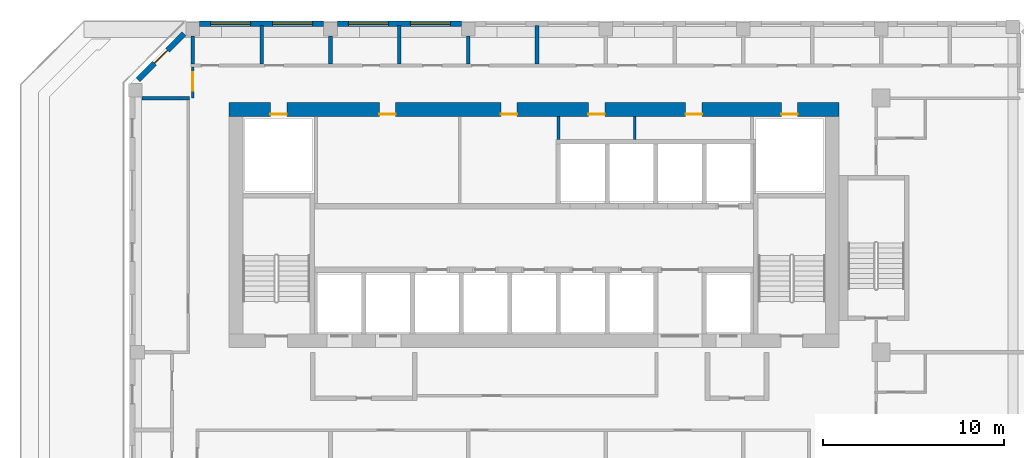
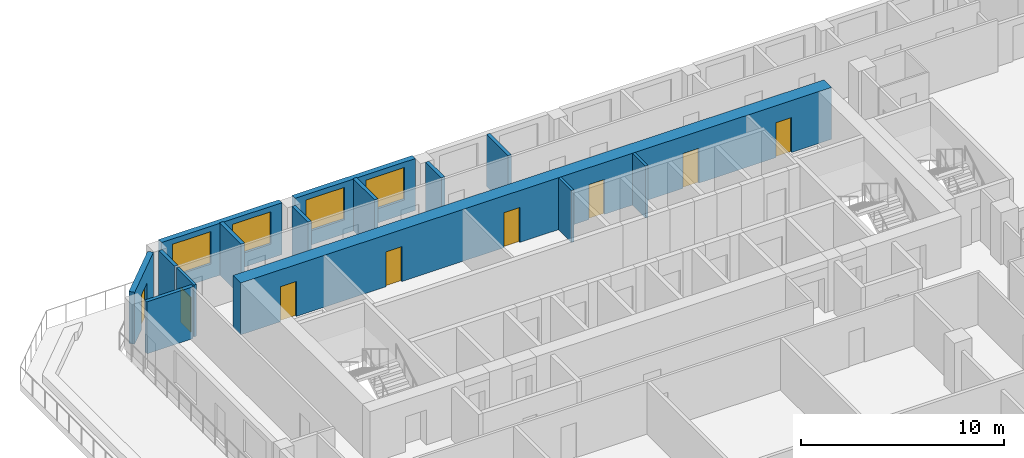
# One storey, part 8 of 16: 14 walls, 8 doors, 4 windows, 12 openings.
"""IFC4 building model written with IfcOpenShell, lengths in metres."""

from ifc_helpers import new_model, si_unit, direction, frame, frame_2d, origin, place, context, subcontext, project, spatial, rectangle, extrude, source, transform, mapped, material, layer, layer_set, type_object, element, fill, save


model = new_model("IFC4")

# Units and contexts
model_context = context("Model", 3, precision=1e-05, world=origin(), true_north=direction((0.0, 1.0)))
body_context = subcontext(model_context, "Body", "Model", "MODEL_VIEW")
ifc_project = project(units=[si_unit("LENGTHUNIT", "METRE"), si_unit("AREAUNIT", "SQUARE_METRE"), si_unit("VOLUMEUNIT", "CUBIC_METRE"), si_unit("PLANEANGLEUNIT", "RADIAN"), si_unit("MASSUNIT", "GRAM", prefix="KILO")], contexts=[model_context])

# Site, building, storey
site_placement = place(None, origin())
site = spatial("IfcSite", under=ifc_project, at=site_placement, CompositionType="ELEMENT")
building_placement = place(site_placement, origin())
building = spatial("IfcBuilding", under=site, at=building_placement, Name="Kilnfold Tower and Market Hall", CompositionType="ELEMENT")
storey_placement = place(building_placement, frame((0.0, 0.0, 199.89990234375)))
storey = spatial("IfcBuildingStorey", under=building, at=storey_placement, Name="L48", CompositionType="ELEMENT", Elevation=199.89990234375)

# Wall, opening, door
ifc_material_1 = material(Name="Gypsum board on steel studs", Category="steel")
ifc_layer_1 = layer(ifc_material_1, 0.14990234375)
ifc_layer_set_1 = layer_set([ifc_layer_1], Name="Gypsum board on steel studs")
wall_type_1 = type_object("IfcWallType", Name="WALL CORRIDOR 150", PredefinedType="PARTITIONING", material=ifc_layer_set_1)
wall_1_placement = place(storey_placement, frame((-17.75, 23.72509765625, 0.0), z_axis=(0.0, 0.0, 1.0), x_axis=(0.0, -1.0, 0.0)))
wall_1 = element("IfcWall", 1, at=wall_1_placement, inside=storey, type_object=wall_type_1, Name="Partition LY30.17", PredefinedType="PARTITIONING", context=body_context, shape_type="SweptSolid", body=[
    extrude(rectangle(XDim=1.72509765625, YDim=0.14990234375, at=frame_2d((0.862548828125, 0.0))), origin(), (0.0, 0.0, 1.0), 3.1201171875),
])
opening_1_placement = place(wall_1_placement, frame((0.30810546875, 0.0, 0.0)))
opening_1 = element("IfcOpeningElement", 2, at=opening_1_placement, cuts=wall_1, Name="Opening D4", PredefinedType="OPENING", context=body_context, shape_type="SweptSolid", body=[
    extrude(rectangle(XDim=1.0, YDim=2.10009765625, at=frame_2d((0.5, 1.050048828125))), frame((0.0, 0.0849609375, 0.0), z_axis=(0.0, -1.0, 0.0), x_axis=(1.0, 0.0, 0.0)), (0.0, 0.0, 1.0), 0.169921875),
])
ifc_material_2 = material(Name="Timber veneer door leaf in steel frame", Category="steel")
door_type_1 = type_object("IfcDoorType", Name="DOOR SERVICE 1000 X2100", OperationType="NOTDEFINED", PredefinedType="DOOR", material=ifc_material_2)
door_1_placement = place(opening_1_placement, origin())
door_1 = element("IfcDoor", 3, at=door_1_placement, inside=storey, type_object=door_type_1, Name="Door D4", OperationType="SINGLE_SWING_RIGHT", OverallHeight=2.10009765625, OverallWidth=1.0, PredefinedType="DOOR", context=body_context, shape_type="SweptSolid", body=[
    extrude(rectangle(XDim=1.0, YDim=2.10009765625, at=frame_2d((0.5, 1.050048828125))), frame((0.0, 0.02490234375, 0.0), z_axis=(0.0, -1.0, 0.0), x_axis=(1.0, 0.0, 0.0)), (0.0, 0.0, 1.0), 0.050048828125),
])
fill(opening_1, door_1)

# Walls
ifc_material_3 = material(Name="Gypsum board on steel studs", Category="steel")
ifc_layer_2 = layer(ifc_material_3, 0.199951171875)
ifc_layer_set_2 = layer_set([ifc_layer_2], Name="Gypsum board on steel studs")
wall_type_2 = type_object("IfcWallType", Name="WALL PARTY 200", PredefinedType="PARTITIONING", material=ifc_layer_set_2)
wall_2_placement = place(storey_placement, frame((-17.927001953125, 22.0, 0.0), z_axis=(0.0, 0.0, 1.0), x_axis=(-1.0, 0.0, 0.0)))
element("IfcWall", 4, at=wall_2_placement, inside=storey, type_object=wall_type_2, Name="Partition LY30.82", PredefinedType="PARTITIONING", context=body_context, shape_type="SweptSolid", body=[
    extrude(rectangle(XDim=2.6298828125, YDim=0.199951171875, at=frame_2d((1.31494140625, 0.0))), origin(), (0.0, 0.0, 1.0), 3.1201171875),
])
wall_3_placement = place(storey_placement, frame((-17.75, 23.876953125, 0.0), z_axis=(0.0, 0.0, 1.0), x_axis=(0.0, 1.0, 0.0)))
element("IfcWall", 5, at=wall_3_placement, inside=storey, type_object=wall_type_2, Name="Partition LY30.88", PredefinedType="PARTITIONING", context=body_context, shape_type="SweptSolid", body=[
    extrude(rectangle(XDim=1.548095703125, YDim=0.199951171875, at=frame_2d((0.77392578125, 0.0))), origin(), (0.0, 0.0, 1.0), 3.1201171875),
])
wall_4_placement = place(storey_placement, frame((-13.958984375, 23.876953125, 0.0), z_axis=(0.0, 0.0, 1.0), x_axis=(0.0, 1.0, 0.0)))
element("IfcWall", 6, at=wall_4_placement, inside=storey, type_object=wall_type_2, Name="Partition LY30.99", PredefinedType="PARTITIONING", context=body_context, shape_type="SweptSolid", body=[
    extrude(rectangle(XDim=2.123046875, YDim=0.199951171875, at=frame_2d((1.0615234375, 0.0))), origin(), (0.0, 0.0, 1.0), 3.1201171875),
])
wall_5_placement = place(storey_placement, frame((-10.1669921875, 23.876953125, 0.0), z_axis=(0.0, 0.0, 1.0), x_axis=(0.0, 1.0, 0.0)))
element("IfcWall", 7, at=wall_5_placement, inside=storey, type_object=wall_type_2, Name="Partition LY30.100", PredefinedType="PARTITIONING", context=body_context, shape_type="SweptSolid", body=[
    extrude(rectangle(XDim=1.548095703125, YDim=0.199951171875, at=frame_2d((0.77392578125, 0.0))), origin(), (0.0, 0.0, 1.0), 3.1201171875),
])
wall_6_placement = place(storey_placement, frame((-6.375, 23.876953125, 0.0), z_axis=(0.0, 0.0, 1.0), x_axis=(0.0, 1.0, 0.0)))
element("IfcWall", 8, at=wall_6_placement, inside=storey, type_object=wall_type_2, Name="Partition LY30.101", PredefinedType="PARTITIONING", context=body_context, shape_type="SweptSolid", body=[
    extrude(rectangle(XDim=2.123046875, YDim=0.199951171875, at=frame_2d((1.0615234375, 0.0))), origin(), (0.0, 0.0, 1.0), 3.1201171875),
])
wall_7_placement = place(storey_placement, frame((-2.5830078125, 23.876953125, 0.0), z_axis=(0.0, 0.0, 1.0), x_axis=(0.0, 1.0, 0.0)))
element("IfcWall", 9, at=wall_7_placement, inside=storey, type_object=wall_type_2, Name="Partition LY30.102", PredefinedType="PARTITIONING", context=body_context, shape_type="SweptSolid", body=[
    extrude(rectangle(XDim=1.548095703125, YDim=0.199951171875, at=frame_2d((0.77392578125, 0.0))), origin(), (0.0, 0.0, 1.0), 3.1201171875),
])
wall_8_placement = place(storey_placement, frame((1.2080078125, 23.876953125, 0.0), z_axis=(0.0, 0.0, 1.0), x_axis=(0.0, 1.0, 0.0)))
element("IfcWall", 10, at=wall_8_placement, inside=storey, type_object=wall_type_2, Name="Partition LY30.103", PredefinedType="PARTITIONING", context=body_context, shape_type="SweptSolid", body=[
    extrude(rectangle(XDim=2.123046875, YDim=0.199951171875, at=frame_2d((1.0615234375, 0.0))), origin(), (0.0, 0.0, 1.0), 3.1201171875),
])

# Wall, openings, doors
ifc_material_4 = material(Name="Concrete C60", Category="concrete")
ifc_layer_3 = layer(ifc_material_4, 0.75)
ifc_layer_set_3 = layer_set([ifc_layer_3], Name="Concrete C60")
wall_type_3 = type_object("IfcWallType", Name="CORE WALL 750 C60", PredefinedType="SHEAR", material=ifc_layer_set_3)
shared_shape_1 = source(origin(), body_context, "Body", "SweptSolid", [
    extrude(rectangle(XDim=33.60009765625, YDim=0.75, at=frame_2d((16.800048828125, 0.0))), origin(), (0.0, 0.0, 1.0), 3.1201171875),
])
wall_9_placement = place(storey_placement, frame((-15.75, 21.375, 0.0), z_axis=(0.0, 0.0, 1.0), x_axis=(1.0, 0.0, 0.0)))
wall_9 = element("IfcWall", 11, at=wall_9_placement, inside=storey, type_object=wall_type_3, Name="Core outer wall north", PredefinedType="SHEAR", context=body_context, shape_type="MappedRepresentation", body=[
    mapped(shared_shape_1, transform((0.0, 0.0, 0.0))),
])
opening_2_placement = place(wall_9_placement, frame((8.269775390625, 0.0, 0.0)))
opening_2 = element("IfcOpeningElement", 12, at=opening_2_placement, cuts=wall_9, Name="Opening KD1", PredefinedType="OPENING", context=body_context, shape_type="SweptSolid", body=[
    extrude(rectangle(XDim=0.89990234375, YDim=2.10009765625, at=frame_2d((0.449951171875, 1.050048828125))), frame((0.0, 0.385009765625, 0.0), z_axis=(0.0, -1.0, 0.0), x_axis=(1.0, 0.0, 0.0)), (0.0, 0.0, 1.0), 0.77001953125),
])
opening_3_placement = place(wall_9_placement, frame((14.9697265625, 0.0, 0.0)))
opening_3 = element("IfcOpeningElement", 13, at=opening_3_placement, cuts=wall_9, Name="Opening KD1", PredefinedType="OPENING", context=body_context, shape_type="SweptSolid", body=[
    extrude(rectangle(XDim=0.89990234375, YDim=2.10009765625, at=frame_2d((0.449951171875, 1.050048828125))), frame((0.0, 0.385009765625, 0.0), z_axis=(0.0, -1.0, 0.0), x_axis=(1.0, 0.0, 0.0)), (0.0, 0.0, 1.0), 0.77001953125),
])
opening_4_placement = place(wall_9_placement, frame((19.793701171875, 0.0, 0.0)))
opening_4 = element("IfcOpeningElement", 14, at=opening_4_placement, cuts=wall_9, Name="Opening KD1", PredefinedType="OPENING", context=body_context, shape_type="SweptSolid", body=[
    extrude(rectangle(XDim=0.89990234375, YDim=2.10009765625, at=frame_2d((0.449951171875, 1.050048828125))), frame((0.0, 0.385009765625, 0.0), z_axis=(0.0, -1.0, 0.0), x_axis=(1.0, 0.0, 0.0)), (0.0, 0.0, 1.0), 0.77001953125),
])
opening_5_placement = place(wall_9_placement, frame((25.15380859375, 0.0, 0.0)))
opening_5 = element("IfcOpeningElement", 15, at=opening_5_placement, cuts=wall_9, Name="Opening KD1", PredefinedType="OPENING", context=body_context, shape_type="SweptSolid", body=[
    extrude(rectangle(XDim=0.89990234375, YDim=2.10009765625, at=frame_2d((0.449951171875, 1.050048828125))), frame((0.0, 0.385009765625, 0.0), z_axis=(0.0, -1.0, 0.0), x_axis=(1.0, 0.0, 0.0)), (0.0, 0.0, 1.0), 0.77001953125),
])
opening_6_placement = place(wall_9_placement, frame((2.27490234375, 0.0, 0.0)))
opening_6 = element("IfcOpeningElement", 16, at=opening_6_placement, cuts=wall_9, Name="Opening KD1", PredefinedType="OPENING", context=body_context, shape_type="SweptSolid", body=[
    extrude(rectangle(XDim=0.89990234375, YDim=2.10009765625, at=frame_2d((0.449951171875, 1.050048828125))), frame((0.0, 0.385009765625, 0.0), z_axis=(0.0, -1.0, 0.0), x_axis=(1.0, 0.0, 0.0)), (0.0, 0.0, 1.0), 0.77001953125),
])
opening_7_placement = place(wall_9_placement, frame((30.425048828125, 0.0, 0.0)))
opening_7 = element("IfcOpeningElement", 17, at=opening_7_placement, cuts=wall_9, Name="Opening KD1", PredefinedType="OPENING", context=body_context, shape_type="SweptSolid", body=[
    extrude(rectangle(XDim=0.89990234375, YDim=2.10009765625, at=frame_2d((0.449951171875, 1.050048828125))), frame((0.0, 0.385009765625, 0.0), z_axis=(0.0, -1.0, 0.0), x_axis=(1.0, 0.0, 0.0)), (0.0, 0.0, 1.0), 0.77001953125),
])
ifc_material_5 = material(Name="Steel door set with fire-resisting leaf", Category="steel")
door_type_2 = type_object("IfcDoorType", Name="SERVICE DOOR 900X2100", OperationType="NOTDEFINED", PredefinedType="DOOR", material=ifc_material_5)
door_2_placement = place(opening_2_placement, origin())
door_2 = element("IfcDoor", 18, at=door_2_placement, inside=storey, type_object=door_type_2, Name="Core service door", OperationType="SINGLE_SWING_RIGHT", OverallHeight=2.10009765625, OverallWidth=0.89990234375, PredefinedType="DOOR", context=body_context, shape_type="SweptSolid", body=[
    extrude(rectangle(XDim=0.89990234375, YDim=2.10009765625, at=frame_2d((0.449951171875, 1.050048828125))), frame((0.0, -0.22998046875, 0.0), z_axis=(0.0, -1.0, 0.0), x_axis=(1.0, 0.0, 0.0)), (0.0, 0.0, 1.0), 0.050048828125),
])
fill(opening_2, door_2)
door_3_placement = place(opening_3_placement, origin())
door_3 = element("IfcDoor", 19, at=door_3_placement, inside=storey, type_object=door_type_2, Name="Core service door", OperationType="SINGLE_SWING_LEFT", OverallHeight=2.10009765625, OverallWidth=0.89990234375, PredefinedType="DOOR", context=body_context, shape_type="SweptSolid", body=[
    extrude(rectangle(XDim=0.89990234375, YDim=2.10009765625, at=frame_2d((0.449951171875, 1.050048828125))), frame((0.0, -0.22998046875, 0.0), z_axis=(0.0, -1.0, 0.0), x_axis=(1.0, 0.0, 0.0)), (0.0, 0.0, 1.0), 0.050048828125),
])
fill(opening_3, door_3)
door_4_placement = place(opening_4_placement, origin())
door_4 = element("IfcDoor", 20, at=door_4_placement, inside=storey, type_object=door_type_2, Name="Core service door", OperationType="SINGLE_SWING_RIGHT", OverallHeight=2.10009765625, OverallWidth=0.89990234375, PredefinedType="DOOR", context=body_context, shape_type="SweptSolid", body=[
    extrude(rectangle(XDim=0.89990234375, YDim=2.10009765625, at=frame_2d((0.449951171875, 1.050048828125))), frame((0.0, -0.22998046875, 0.0), z_axis=(0.0, -1.0, 0.0), x_axis=(1.0, 0.0, 0.0)), (0.0, 0.0, 1.0), 0.050048828125),
])
fill(opening_4, door_4)
door_5_placement = place(opening_5_placement, origin())
door_5 = element("IfcDoor", 21, at=door_5_placement, inside=storey, type_object=door_type_2, Name="Core service door", OperationType="SINGLE_SWING_LEFT", OverallHeight=2.10009765625, OverallWidth=0.89990234375, PredefinedType="DOOR", context=body_context, shape_type="SweptSolid", body=[
    extrude(rectangle(XDim=0.89990234375, YDim=2.10009765625, at=frame_2d((0.449951171875, 1.050048828125))), frame((0.0, -0.22998046875, 0.0), z_axis=(0.0, -1.0, 0.0), x_axis=(1.0, 0.0, 0.0)), (0.0, 0.0, 1.0), 0.050048828125),
])
fill(opening_5, door_5)
door_6_placement = place(opening_6_placement, origin())
door_6 = element("IfcDoor", 22, at=door_6_placement, inside=storey, type_object=door_type_2, Name="Electrical riser access door", OperationType="SINGLE_SWING_RIGHT", OverallHeight=2.10009765625, OverallWidth=0.89990234375, PredefinedType="DOOR", context=body_context, shape_type="SweptSolid", body=[
    extrude(rectangle(XDim=0.89990234375, YDim=2.10009765625, at=frame_2d((0.449951171875, 1.050048828125))), frame((0.0, -0.22998046875, 0.0), z_axis=(0.0, -1.0, 0.0), x_axis=(1.0, 0.0, 0.0)), (0.0, 0.0, 1.0), 0.050048828125),
])
fill(opening_6, door_6)
door_7_placement = place(opening_7_placement, origin())
door_7 = element("IfcDoor", 23, at=door_7_placement, inside=storey, type_object=door_type_2, Name="Mechanical riser access door", OperationType="SINGLE_SWING_LEFT", OverallHeight=2.10009765625, OverallWidth=0.89990234375, PredefinedType="DOOR", context=body_context, shape_type="SweptSolid", body=[
    extrude(rectangle(XDim=0.89990234375, YDim=2.10009765625, at=frame_2d((0.449951171875, 1.050048828125))), frame((0.0, -0.22998046875, 0.0), z_axis=(0.0, -1.0, 0.0), x_axis=(1.0, 0.0, 0.0)), (0.0, 0.0, 1.0), 0.050048828125),
])
fill(opening_7, door_7)

# Wall, openings, windows
ifc_material_6 = material(Name="Precast concrete C50/60", Category="concrete")
ifc_layer_4 = layer(ifc_material_6, 0.300048828125)
ifc_layer_set_4 = layer_set([ifc_layer_4], Name="Precast concrete C50/60")
wall_type_4 = type_object("IfcWallType", Name="PRECAST WALL 300", PredefinedType="SOLIDWALL", material=ifc_layer_set_4)
shared_shape_2 = source(origin(), body_context, "Body", "SweptSolid", [
    extrude(rectangle(XDim=6.833251953125, YDim=0.300048828125, at=frame_2d((3.41650390625, 0.0))), origin(), (0.0, 0.0, 1.0), 3.1201171875),
])
wall_10_placement = place(storey_placement, frame((-10.541748046875, 26.10009765625, 0.0), z_axis=(0.0, 0.0, 1.0), x_axis=(-1.0, 0.0, 0.0)))
wall_10 = element("IfcWall", 24, at=wall_10_placement, inside=storey, type_object=wall_type_4, Name="External wall L48 N", PredefinedType="SOLIDWALL", context=body_context, shape_type="MappedRepresentation", body=[
    mapped(shared_shape_2, transform((0.0, 0.0, 0.0))),
])
opening_8_placement = place(wall_10_placement, frame((0.6083984375, 0.0, 0.85009765625)))
opening_8 = element("IfcOpeningElement", 25, at=opening_8_placement, cuts=wall_10, Name="Opening W2", PredefinedType="OPENING", context=body_context, shape_type="SweptSolid", body=[
    extrude(rectangle(XDim=2.199951171875, YDim=1.949951171875, at=frame_2d((1.10009765625, 0.97509765625))), frame((0.0, 0.16015625, 0.0), z_axis=(0.0, -1.0, 0.0), x_axis=(1.0, 0.0, 0.0)), (0.0, 0.0, 1.0), 0.320068359375),
])
opening_9_placement = place(wall_10_placement, frame((4.02490234375, 0.0, 0.85009765625)))
opening_9 = element("IfcOpeningElement", 26, at=opening_9_placement, cuts=wall_10, Name="Opening W2", PredefinedType="OPENING", context=body_context, shape_type="SweptSolid", body=[
    extrude(rectangle(XDim=2.199951171875, YDim=1.949951171875, at=frame_2d((1.10009765625, 0.97509765625))), frame((0.0, 0.16015625, 0.0), z_axis=(0.0, -1.0, 0.0), x_axis=(1.0, 0.0, 0.0)), (0.0, 0.0, 1.0), 0.320068359375),
])
ifc_material_7 = material(Name="Aluminium frame and double glazing", Category="aluminium")
window_type = type_object("IfcWindowType", Name="WINDOW W2 2200X1950", PartitioningType="SINGLE_PANEL", PredefinedType="WINDOW", material=ifc_material_7)
window_1_placement = place(opening_8_placement, origin())
window_1 = element("IfcWindow", 27, at=window_1_placement, inside=storey, type_object=window_type, Name="Window W2 L48 N-1", OverallHeight=1.949951171875, OverallWidth=2.199951171875, PartitioningType="SINGLE_PANEL", PredefinedType="WINDOW", context=body_context, shape_type="SweptSolid", body=[
    extrude(rectangle(XDim=2.199951171875, YDim=1.949951171875, at=frame_2d((1.10009765625, 0.97509765625))), frame((0.0, 0.030029296875, 0.0), z_axis=(0.0, -1.0, 0.0), x_axis=(1.0, 0.0, 0.0)), (0.0, 0.0, 1.0), 0.06005859375),
])
fill(opening_8, window_1)
window_2_placement = place(opening_9_placement, origin())
window_2 = element("IfcWindow", 28, at=window_2_placement, inside=storey, type_object=window_type, Name="Window W2 L48 N-2", OverallHeight=1.949951171875, OverallWidth=2.199951171875, PartitioningType="SINGLE_PANEL", PredefinedType="WINDOW", context=body_context, shape_type="SweptSolid", body=[
    extrude(rectangle(XDim=2.199951171875, YDim=1.949951171875, at=frame_2d((1.10009765625, 0.97509765625))), frame((0.0, 0.030029296875, 0.0), z_axis=(0.0, -1.0, 0.0), x_axis=(1.0, 0.0, 0.0)), (0.0, 0.0, 1.0), 0.06005859375),
])
fill(opening_9, window_2)

shared_shape_3 = source(origin(), body_context, "Body", "SweptSolid", [
    extrude(rectangle(XDim=6.83349609375, YDim=0.300048828125, at=frame_2d((3.416748046875, 0.0))), origin(), (0.0, 0.0, 1.0), 3.1201171875),
])
wall_11_placement = place(storey_placement, frame((-2.958251953125, 26.10009765625, 0.0), z_axis=(0.0, 0.0, 1.0), x_axis=(-1.0, 0.0, 0.0)))
wall_11 = element("IfcWall", 29, at=wall_11_placement, inside=storey, type_object=wall_type_4, Name="External wall L48 N", PredefinedType="SOLIDWALL", context=body_context, shape_type="MappedRepresentation", body=[
    mapped(shared_shape_3, transform((0.0, 0.0, 0.0))),
])
opening_10_placement = place(wall_11_placement, frame((0.6083984375, 0.0, 0.85009765625)))
opening_10 = element("IfcOpeningElement", 30, at=opening_10_placement, cuts=wall_11, Name="Opening W2", PredefinedType="OPENING", context=body_context, shape_type="SweptSolid", body=[
    extrude(rectangle(XDim=2.199951171875, YDim=1.949951171875, at=frame_2d((1.10009765625, 0.97509765625))), frame((0.0, 0.16015625, 0.0), z_axis=(0.0, -1.0, 0.0), x_axis=(1.0, 0.0, 0.0)), (0.0, 0.0, 1.0), 0.320068359375),
])
opening_11_placement = place(wall_11_placement, frame((4.02490234375, 0.0, 0.85009765625)))
opening_11 = element("IfcOpeningElement", 31, at=opening_11_placement, cuts=wall_11, Name="Opening W2", PredefinedType="OPENING", context=body_context, shape_type="SweptSolid", body=[
    extrude(rectangle(XDim=2.199951171875, YDim=1.949951171875, at=frame_2d((1.10009765625, 0.97509765625))), frame((0.0, 0.16015625, 0.0), z_axis=(0.0, -1.0, 0.0), x_axis=(1.0, 0.0, 0.0)), (0.0, 0.0, 1.0), 0.320068359375),
])
window_3_placement = place(opening_10_placement, origin())
window_3 = element("IfcWindow", 32, at=window_3_placement, inside=storey, type_object=window_type, Name="Window W2 L48 N-1", OverallHeight=1.949951171875, OverallWidth=2.199951171875, PartitioningType="SINGLE_PANEL", PredefinedType="WINDOW", context=body_context, shape_type="SweptSolid", body=[
    extrude(rectangle(XDim=2.199951171875, YDim=1.949951171875, at=frame_2d((1.10009765625, 0.97509765625))), frame((0.0, 0.030029296875, 0.0), z_axis=(0.0, -1.0, 0.0), x_axis=(1.0, 0.0, 0.0)), (0.0, 0.0, 1.0), 0.06005859375),
])
fill(opening_10, window_3)
window_4_placement = place(opening_11_placement, origin())
window_4 = element("IfcWindow", 33, at=window_4_placement, inside=storey, type_object=window_type, Name="Window W2 L48 N-2", OverallHeight=1.949951171875, OverallWidth=2.199951171875, PartitioningType="SINGLE_PANEL", PredefinedType="WINDOW", context=body_context, shape_type="SweptSolid", body=[
    extrude(rectangle(XDim=2.199951171875, YDim=1.949951171875, at=frame_2d((1.10009765625, 0.97509765625))), frame((0.0, 0.030029296875, 0.0), z_axis=(0.0, -1.0, 0.0), x_axis=(1.0, 0.0, 0.0)), (0.0, 0.0, 1.0), 0.06005859375),
])
fill(opening_11, window_4)

# Wall, opening, door
shared_shape_4 = source(origin(), body_context, "Body", "SweptSolid", [
    extrude(rectangle(XDim=3.571044921875, YDim=0.300048828125, at=frame_2d((1.78564453125, 0.0))), origin(), (0.0, 0.0, 1.0), 3.1201171875),
])
wall_12_placement = place(storey_placement, frame((-18.243896484375, 25.5439453125, 0.0), z_axis=(0.0, 0.0, 1.0), x_axis=(-0.707072595841, -0.707140964879, 0.0)))
wall_12 = element("IfcWall", 34, at=wall_12_placement, inside=storey, type_object=wall_type_4, Name="External wall L48 NW", PredefinedType="SOLIDWALL", context=body_context, shape_type="MappedRepresentation", body=[
    mapped(shared_shape_4, transform((0.0, 0.0, 0.0))),
])
opening_12_placement = place(wall_12_placement, frame((1.285400390625, 0.0, 0.0)))
opening_12 = element("IfcOpeningElement", 35, at=opening_12_placement, cuts=wall_12, Name="Opening BD1", PredefinedType="OPENING", context=body_context, shape_type="SweptSolid", body=[
    extrude(rectangle(XDim=1.0, YDim=2.10009765625, at=frame_2d((0.5, 1.050048828125))), frame((0.0, 0.16015625, 0.0), z_axis=(0.0, -1.0, 0.0), x_axis=(1.0, 0.0, 0.0)), (0.0, 0.0, 1.0), 0.320068359375),
])
ifc_material_8 = material(Name="Aluminium frame and double glazing", Category="aluminium")
door_type_3 = type_object("IfcDoorType", Name="BALCONY DOOR 1000X2100", OperationType="NOTDEFINED", PredefinedType="DOOR", material=ifc_material_8)
door_8_placement = place(opening_12_placement, origin())
door_8 = element("IfcDoor", 36, at=door_8_placement, inside=storey, type_object=door_type_3, Name="Balcony door BD1 L48 NW-1", OperationType="SINGLE_SWING_LEFT", OverallHeight=2.10009765625, OverallWidth=1.0, PredefinedType="DOOR", context=body_context, shape_type="SweptSolid", body=[
    extrude(rectangle(XDim=1.0, YDim=2.10009765625, at=frame_2d((0.5, 1.050048828125))), frame((0.0, 0.02490234375, 0.0), z_axis=(0.0, -1.0, 0.0), x_axis=(1.0, 0.0, 0.0)), (0.0, 0.0, 1.0), 0.050048828125),
])
fill(opening_12, door_8)

# Walls
ifc_material_9 = material(Name="Gypsum shaft wall system")
ifc_layer_5 = layer(ifc_material_9, 0.14990234375)
ifc_layer_set_5 = layer_set([ifc_layer_5], Name="Gypsum shaft wall system")
wall_type_5 = type_object("IfcWallType", Name="ROOM WALL 150", PredefinedType="PARTITIONING", material=ifc_layer_set_5)
shared_shape_5 = source(origin(), body_context, "Body", "SweptSolid", [
    extrude(rectangle(XDim=1.27490234375, YDim=0.14990234375, at=frame_2d((0.637451171875, 0.0))), origin(), (0.0, 0.0, 1.0), 3.1201171875),
])
for number, where, z_axis, x_axis, name in (
    (37, (2.389892578125, 19.72509765625, 0.0), (0.0, 0.0, 1.0), (0.0, 1.0, 0.0), "Core room wall"),
    (38, (6.59765625, 19.72509765625, 0.0), (0.0, 0.0, 1.0), (0.0, 1.0, 0.0), "Core room wall"),
):
    element("IfcWall", number, at=place(storey_placement, frame(where, z_axis=z_axis, x_axis=x_axis)), inside=storey, type_object=wall_type_5, Name=name, PredefinedType="PARTITIONING", context=body_context, shape_type="MappedRepresentation", body=[
        mapped(shared_shape_5, transform((0.0, 0.0, 0.0))),
    ])

save(model, "model.ifc")
